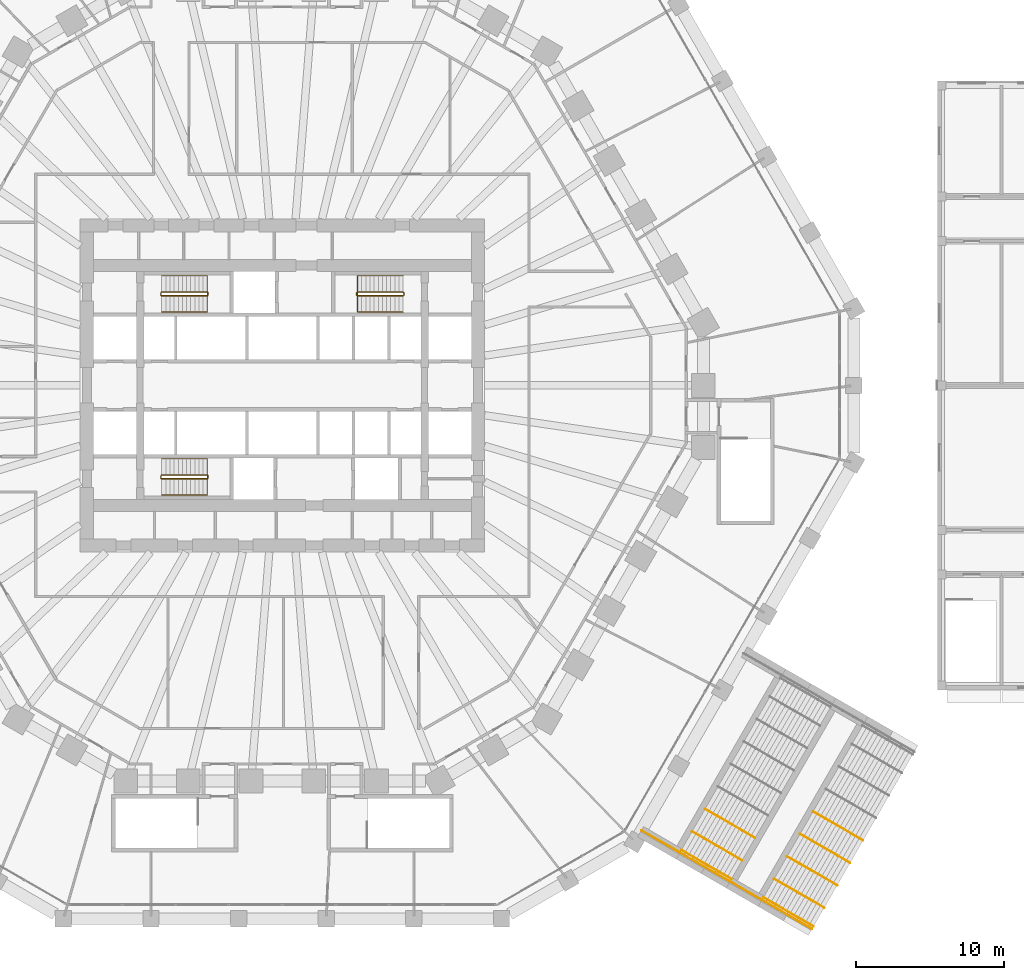
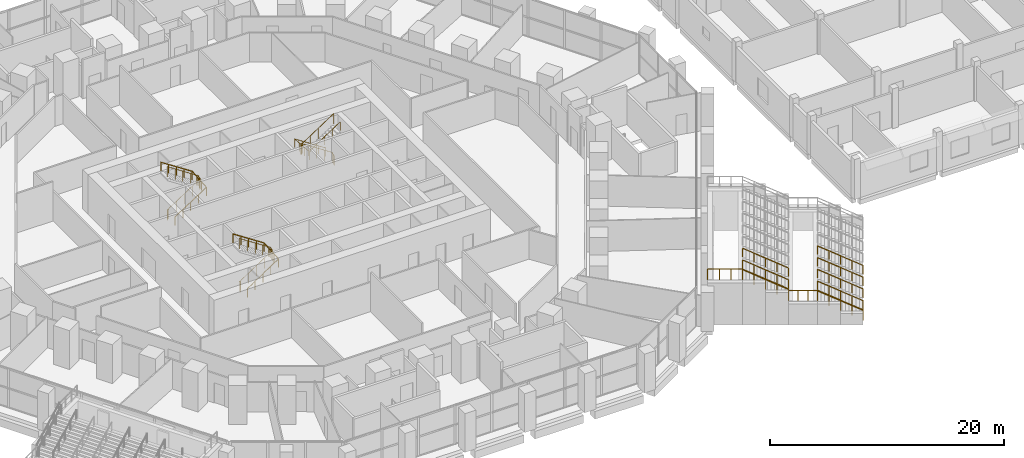
# One storey, part 33 of 38: 18 railings.
"""IFC4 building model written with IfcOpenShell, lengths in metres."""

from ifc_helpers import new_model, si_unit, direction, frame, origin, origin_2d, place, context, subcontext, project, spatial, circle, extrude, material, type_object, element, save


model = new_model("IFC4")

# Units and contexts
model_context = context("Model", 3, precision=1e-05, world=origin(), true_north=direction((0.0, 1.0)))
body_context = subcontext(model_context, "Body", "Model", "MODEL_VIEW")
ifc_project = project(units=[si_unit("LENGTHUNIT", "METRE"), si_unit("AREAUNIT", "SQUARE_METRE"), si_unit("VOLUMEUNIT", "CUBIC_METRE"), si_unit("PLANEANGLEUNIT", "RADIAN"), si_unit("MASSUNIT", "GRAM", prefix="KILO")], contexts=[model_context])

# Site, building, storey
site_placement = place(None, origin())
site = spatial("IfcSite", under=ifc_project, at=site_placement, CompositionType="ELEMENT")
building_placement = place(site_placement, origin())
building = spatial("IfcBuilding", under=site, at=building_placement, Name="Frailejon Research Tower", CompositionType="ELEMENT")
storey_placement = place(building_placement, frame((0.0, 0.0, 10.199951171875)))
storey = spatial("IfcBuildingStorey", under=building, at=storey_placement, Name="L02", CompositionType="ELEMENT", Elevation=10.199951171875)

# Railings
ifc_material_1 = material(Name="Galvanised steel balustrade", Category="steel")
railing_type_1 = type_object("IfcRailingType", Name="Broad stair guard 1100", PredefinedType="GUARDRAIL", material=ifc_material_1)
railing_1_placement = place(storey_placement, frame((24.226806640625, -30.037841796875, 4.400146484375)))
element("IfcRailing", 1, at=railing_1_placement, inside=storey, type_object=railing_type_1, Name="Broad stair E3 landing guard", PredefinedType="GUARDRAIL", context=body_context, shape_type="SweptSolid", body=[
    extrude(circle(Radius=0.02392578125, at=origin_2d()), frame((0.0, 0.0, 1.076171875), z_axis=(0.866031096941, -0.499990139034, 0.0), x_axis=(0.499990139034, 0.866031096941, 0.0)), (0.0, 0.0, 1.0), 3.0),
    extrude(circle(Radius=0.02099609375, at=origin_2d()), origin(), (0.0, 0.0, 1.0), 1.052001953125),
    extrude(circle(Radius=0.02099609375, at=origin_2d()), frame((0.865966796875, -0.5, 0.0)), (0.0, 0.0, 1.0), 1.052001953125),
    extrude(circle(Radius=0.02099609375, at=origin_2d()), frame((1.732177734375, -1.0, 0.0)), (0.0, 0.0, 1.0), 1.052001953125),
    extrude(circle(Radius=0.02099609375, at=origin_2d()), frame((2.59814453125, -1.5, 0.0)), (0.0, 0.0, 1.0), 1.052001953125),
])
railing_2_placement = place(storey_placement, frame((30.202392578125, -33.48779296875, 2.199951171875)))
element("IfcRailing", 2, at=railing_2_placement, inside=storey, type_object=railing_type_1, Name="Broad stair E3 landing guard", PredefinedType="GUARDRAIL", context=body_context, shape_type="SweptSolid", body=[
    extrude(circle(Radius=0.02392578125, at=origin_2d()), frame((0.0, 0.0, 1.076171875), z_axis=(0.866047370643, -0.499961950354, 0.0), x_axis=(0.499961950354, 0.866047370643, 0.0)), (0.0, 0.0, 1.0), 2.500244140625),
    extrude(circle(Radius=0.02099609375, at=origin_2d()), origin(), (0.0, 0.0, 1.0), 1.052001953125),
    extrude(circle(Radius=0.02099609375, at=origin_2d()), frame((0.7216796875, -0.416748046875, 0.0)), (0.0, 0.0, 1.0), 1.052001953125),
    extrude(circle(Radius=0.02099609375, at=origin_2d()), frame((1.443603515625, -0.833251953125, 0.0)), (0.0, 0.0, 1.0), 1.052001953125),
    extrude(circle(Radius=0.02099609375, at=origin_2d()), frame((2.165283203125, -1.25, 0.0)), (0.0, 0.0, 1.0), 1.052001953125),
])
railing_3_placement = place(storey_placement, frame((30.202392578125, -33.48779296875, 2.357177734375)))
element("IfcRailing", 3, at=railing_3_placement, inside=storey, type_object=railing_type_1, Name="Broad stair E3 flight guard", PredefinedType="GUARDRAIL", context=body_context, shape_type="SweptSolid", body=[
    extrude(circle(Radius=0.02392578125, at=origin_2d()), frame((0.0, 0.0, 1.076171875), z_axis=(-0.767141967579, 0.442906093325, 0.464033828589), x_axis=(-0.499997012787, -0.866027128446, 0.0)), (0.0, 0.0, 1.0), 4.402587890625),
    extrude(circle(Radius=0.02099609375, at=origin_2d()), origin(), (0.0, 0.0, 1.0), 1.052001953125),
    extrude(circle(Radius=0.02099609375, at=origin_2d()), frame((-0.84423828125, 0.487548828125, 0.5107421875)), (0.0, 0.0, 1.0), 1.052001953125),
    extrude(circle(Radius=0.02099609375, at=origin_2d()), frame((-1.688720703125, 0.97509765625, 1.021484375)), (0.0, 0.0, 1.0), 1.052001953125),
    extrude(circle(Radius=0.02099609375, at=origin_2d()), frame((-2.533203125, 1.46240234375, 1.5322265625)), (0.0, 0.0, 1.0), 1.052001953125),
    extrude(circle(Radius=0.02099609375, at=origin_2d()), frame((-3.37744140625, 1.949951171875, 2.04296875)), (0.0, 0.0, 1.0), 1.052001953125),
])
railing_4_placement = place(storey_placement, frame((35.7451171875, -36.687744140625, 0.1572265625)))
element("IfcRailing", 4, at=railing_4_placement, inside=storey, type_object=railing_type_1, Name="Broad stair E3 flight guard", PredefinedType="GUARDRAIL", context=body_context, shape_type="SweptSolid", body=[
    extrude(circle(Radius=0.02392578125, at=origin_2d()), frame((0.0, 0.0, 1.076171875), z_axis=(-0.767161707443, 0.44291749005, 0.463990314166), x_axis=(-0.499997012787, -0.866027128446, 0.0)), (0.0, 0.0, 1.0), 4.402587890625),
    extrude(circle(Radius=0.02099609375, at=origin_2d()), origin(), (0.0, 0.0, 1.0), 1.052001953125),
    extrude(circle(Radius=0.02099609375, at=origin_2d()), frame((-0.84423828125, 0.487548828125, 0.5107421875)), (0.0, 0.0, 1.0), 1.052001953125),
    extrude(circle(Radius=0.02099609375, at=origin_2d()), frame((-1.688720703125, 0.97509765625, 1.021484375)), (0.0, 0.0, 1.0), 1.052001953125),
    extrude(circle(Radius=0.02099609375, at=origin_2d()), frame((-2.533203125, 1.46240234375, 1.531982421875)), (0.0, 0.0, 1.0), 1.052001953125),
    extrude(circle(Radius=0.02099609375, at=origin_2d()), frame((-3.37744140625, 1.949951171875, 2.042724609375)), (0.0, 0.0, 1.0), 1.052001953125),
])
ifc_material_2 = material(Name="Stainless steel handrail", Category="steel")
railing_type_2 = type_object("IfcRailingType", Name="Broad stair handrail", PredefinedType="HANDRAIL", material=ifc_material_2)
railing_5_placement = place(storey_placement, frame((30.302490234375, -33.314453125, 2.357177734375)))
element("IfcRailing", 5, at=railing_5_placement, inside=storey, type_object=railing_type_2, Name="Broad stair E3 flight handrail", PredefinedType="HANDRAIL", context=body_context, shape_type="SweptSolid", body=[
    extrude(circle(Radius=0.02392578125, at=origin_2d()), frame((0.0, 0.0, 0.8759765625), z_axis=(-0.767141967579, 0.442906093325, 0.464033828589), x_axis=(-0.499997012787, -0.866027128446, 0.0)), (0.0, 0.0, 1.0), 4.402587890625),
    extrude(circle(Radius=0.02099609375, at=origin_2d()), origin(), (0.0, 0.0, 1.0), 0.851806640625),
    extrude(circle(Radius=0.02099609375, at=origin_2d()), frame((-0.84423828125, 0.487548828125, 0.5107421875)), (0.0, 0.0, 1.0), 0.851806640625),
    extrude(circle(Radius=0.02099609375, at=origin_2d()), frame((-1.688720703125, 0.97509765625, 1.021484375)), (0.0, 0.0, 1.0), 0.851806640625),
    extrude(circle(Radius=0.02099609375, at=origin_2d()), frame((-2.533203125, 1.46240234375, 1.5322265625)), (0.0, 0.0, 1.0), 0.851806640625),
    extrude(circle(Radius=0.02099609375, at=origin_2d()), frame((-3.37744140625, 1.949951171875, 2.04296875)), (0.0, 0.0, 1.0), 0.851806640625),
])
railing_6_placement = place(storey_placement, frame((35.84521484375, -36.514404296875, 0.1572265625)))
element("IfcRailing", 6, at=railing_6_placement, inside=storey, type_object=railing_type_2, Name="Broad stair E3 flight handrail", PredefinedType="HANDRAIL", context=body_context, shape_type="SweptSolid", body=[
    extrude(circle(Radius=0.02392578125, at=origin_2d()), frame((0.0, 0.0, 0.8759765625), z_axis=(-0.767184523581, 0.442898647621, 0.463970575266), x_axis=(-0.499969906938, -0.866042777325, 0.0)), (0.0, 0.0, 1.0), 4.402587890625),
    extrude(circle(Radius=0.02099609375, at=origin_2d()), origin(), (0.0, 0.0, 1.0), 0.851806640625),
    extrude(circle(Radius=0.02099609375, at=origin_2d()), frame((-0.844482421875, 0.487548828125, 0.5107421875)), (0.0, 0.0, 1.0), 0.851806640625),
    extrude(circle(Radius=0.02099609375, at=origin_2d()), frame((-1.68896484375, 0.97509765625, 1.021484375)), (0.0, 0.0, 1.0), 0.851806640625),
    extrude(circle(Radius=0.02099609375, at=origin_2d()), frame((-2.533203125, 1.46240234375, 1.531982421875)), (0.0, 0.0, 1.0), 0.851806640625),
    extrude(circle(Radius=0.02099609375, at=origin_2d()), frame((-3.377685546875, 1.949951171875, 2.042724609375)), (0.0, 0.0, 1.0), 0.851806640625),
])
railing_7_placement = place(storey_placement, frame((31.027587890625, -32.058837890625, 2.357177734375)))
element("IfcRailing", 7, at=railing_7_placement, inside=storey, type_object=railing_type_2, Name="Broad stair E3 flight handrail", PredefinedType="HANDRAIL", context=body_context, shape_type="SweptSolid", body=[
    extrude(circle(Radius=0.02392578125, at=origin_2d()), frame((0.0, 0.0, 0.8759765625), z_axis=(-0.767164784809, 0.442887252351, 0.464014088853), x_axis=(-0.499969906938, -0.866042777325, 0.0)), (0.0, 0.0, 1.0), 4.40283203125),
    extrude(circle(Radius=0.02099609375, at=origin_2d()), origin(), (0.0, 0.0, 1.0), 0.851806640625),
    extrude(circle(Radius=0.02099609375, at=origin_2d()), frame((-0.844482421875, 0.487548828125, 0.5107421875)), (0.0, 0.0, 1.0), 0.851806640625),
    extrude(circle(Radius=0.02099609375, at=origin_2d()), frame((-1.68896484375, 0.97509765625, 1.021484375)), (0.0, 0.0, 1.0), 0.851806640625),
    extrude(circle(Radius=0.02099609375, at=origin_2d()), frame((-2.533203125, 1.46240234375, 1.5322265625)), (0.0, 0.0, 1.0), 0.851806640625),
    extrude(circle(Radius=0.02099609375, at=origin_2d()), frame((-3.377685546875, 1.949951171875, 2.04296875)), (0.0, 0.0, 1.0), 0.851806640625),
])
railing_8_placement = place(storey_placement, frame((36.570068359375, -35.2587890625, 0.1572265625)))
element("IfcRailing", 8, at=railing_8_placement, inside=storey, type_object=railing_type_2, Name="Broad stair E3 flight handrail", PredefinedType="HANDRAIL", context=body_context, shape_type="SweptSolid", body=[
    extrude(circle(Radius=0.02392578125, at=origin_2d()), frame((0.0, 0.0, 0.8759765625), z_axis=(-0.767161707443, 0.44291749005, 0.463990314166), x_axis=(-0.499997012787, -0.866027128446, 0.0)), (0.0, 0.0, 1.0), 4.402587890625),
    extrude(circle(Radius=0.02099609375, at=origin_2d()), origin(), (0.0, 0.0, 1.0), 0.851806640625),
    extrude(circle(Radius=0.02099609375, at=origin_2d()), frame((-0.84423828125, 0.487548828125, 0.5107421875)), (0.0, 0.0, 1.0), 0.851806640625),
    extrude(circle(Radius=0.02099609375, at=origin_2d()), frame((-1.688720703125, 0.97509765625, 1.021484375)), (0.0, 0.0, 1.0), 0.851806640625),
    extrude(circle(Radius=0.02099609375, at=origin_2d()), frame((-2.533203125, 1.46240234375, 1.531982421875)), (0.0, 0.0, 1.0), 0.851806640625),
    extrude(circle(Radius=0.02099609375, at=origin_2d()), frame((-3.37744140625, 1.949951171875, 2.042724609375)), (0.0, 0.0, 1.0), 0.851806640625),
])
railing_9_placement = place(storey_placement, frame((31.902587890625, -30.543212890625, 2.357177734375)))
element("IfcRailing", 9, at=railing_9_placement, inside=storey, type_object=railing_type_2, Name="Broad stair E3 flight handrail", PredefinedType="HANDRAIL", context=body_context, shape_type="SweptSolid", body=[
    extrude(circle(Radius=0.02392578125, at=origin_2d()), frame((0.0, 0.0, 0.8759765625), z_axis=(-0.767164784809, 0.442887252351, 0.464014088853), x_axis=(-0.499969906938, -0.866042777325, 0.0)), (0.0, 0.0, 1.0), 4.40283203125),
    extrude(circle(Radius=0.02099609375, at=origin_2d()), origin(), (0.0, 0.0, 1.0), 0.851806640625),
    extrude(circle(Radius=0.02099609375, at=origin_2d()), frame((-0.844482421875, 0.487548828125, 0.5107421875)), (0.0, 0.0, 1.0), 0.851806640625),
    extrude(circle(Radius=0.02099609375, at=origin_2d()), frame((-1.68896484375, 0.97509765625, 1.021484375)), (0.0, 0.0, 1.0), 0.851806640625),
    extrude(circle(Radius=0.02099609375, at=origin_2d()), frame((-2.533203125, 1.46240234375, 1.5322265625)), (0.0, 0.0, 1.0), 0.851806640625),
    extrude(circle(Radius=0.02099609375, at=origin_2d()), frame((-3.377685546875, 1.949951171875, 2.04296875)), (0.0, 0.0, 1.0), 0.851806640625),
])
for number, where, name in (
    (10, (37.445068359375, -33.743408203125, 0.1572265625), "Broad stair E3 flight handrail"),
    (11, (38.320068359375, -32.227783203125, 0.1572265625), "Broad stair E3 flight handrail"),
):
    element("IfcRailing", number, at=place(storey_placement, frame(where)), inside=storey, type_object=railing_type_2, Name=name, PredefinedType="HANDRAIL", context=body_context, shape_type="SweptSolid", body=[
        extrude(circle(Radius=0.02392578125, at=origin_2d()), frame((0.0, 0.0, 0.8759765625), z_axis=(-0.767142864008, 0.442962064312, 0.463978917389), x_axis=(-0.500043961785, -0.866000020948, 0.0)), (0.0, 0.0, 1.0), 4.402587890625),
        extrude(circle(Radius=0.02099609375, at=origin_2d()), origin(), (0.0, 0.0, 1.0), 0.851806640625),
        extrude(circle(Radius=0.02099609375, at=origin_2d()), frame((-0.84423828125, 0.487548828125, 0.5107421875)), (0.0, 0.0, 1.0), 0.851806640625),
        extrude(circle(Radius=0.02099609375, at=origin_2d()), frame((-1.688720703125, 0.97509765625, 1.021484375)), (0.0, 0.0, 1.0), 0.851806640625),
        extrude(circle(Radius=0.02099609375, at=origin_2d()), frame((-2.533203125, 1.462646484375, 1.531982421875)), (0.0, 0.0, 1.0), 0.851806640625),
        extrude(circle(Radius=0.02099609375, at=origin_2d()), frame((-3.37744140625, 1.9501953125, 2.042724609375)), (0.0, 0.0, 1.0), 0.851806640625),
    ])
railing_10_placement = place(storey_placement, frame((39.195068359375, -30.712158203125, 0.1572265625)))
element("IfcRailing", 12, at=railing_10_placement, inside=storey, type_object=railing_type_2, Name="Broad stair E3 flight handrail", PredefinedType="HANDRAIL", context=body_context, shape_type="SweptSolid", body=[
    extrude(circle(Radius=0.02392578125, at=origin_2d()), frame((0.0, 0.0, 0.8759765625), z_axis=(-0.767161707443, 0.44291749005, 0.463990314166), x_axis=(-0.499997012787, -0.866027128446, 0.0)), (0.0, 0.0, 1.0), 4.402587890625),
    extrude(circle(Radius=0.02099609375, at=origin_2d()), origin(), (0.0, 0.0, 1.0), 0.851806640625),
    extrude(circle(Radius=0.02099609375, at=origin_2d()), frame((-0.84423828125, 0.487548828125, 0.5107421875)), (0.0, 0.0, 1.0), 0.851806640625),
    extrude(circle(Radius=0.02099609375, at=origin_2d()), frame((-1.688720703125, 0.97509765625, 1.021484375)), (0.0, 0.0, 1.0), 0.851806640625),
    extrude(circle(Radius=0.02099609375, at=origin_2d()), frame((-2.533203125, 1.46240234375, 1.531982421875)), (0.0, 0.0, 1.0), 0.851806640625),
    extrude(circle(Radius=0.02099609375, at=origin_2d()), frame((-3.37744140625, 1.949951171875, 2.042724609375)), (0.0, 0.0, 1.0), 0.851806640625),
])
ifc_material_3 = material(Name="Stainless steel", Category="steel")
railing_type_3 = type_object("IfcRailingType", Name="Stair guard 1100", PredefinedType="GUARDRAIL", material=ifc_material_3)
railing_11_placement = place(storey_placement, frame((-8.199951171875, 6.25, 0.0)))
element("IfcRailing", 13, at=railing_11_placement, inside=storey, type_object=railing_type_3, Name="L02 ST1 stair guard 1", PredefinedType="GUARDRAIL", context=body_context, shape_type="SweptSolid", body=[
    extrude(circle(Radius=0.02392578125, at=origin_2d()), frame((0.0, 0.0, 1.076171875), z_axis=(0.0, -1.0, 0.0), x_axis=(1.0, 0.0, 0.0)), (0.0, 0.0, 1.0), 0.14990234375),
    extrude(circle(Radius=0.02392578125, at=origin_2d()), frame((0.0, -0.14990234375, 1.076171875), z_axis=(0.254653276557, -0.254653276557, 0.932900539971), x_axis=(0.707106781187, 0.707106781187, 0.0)), (0.0, 0.0, 1.0), 0.196533203125),
    extrude(circle(Radius=0.02392578125, at=origin_2d()), frame((0.050048828125, -0.199951171875, 1.25927734375), z_axis=(0.836613101238, 0.0, 0.547794230379), x_axis=(0.0, 1.0, 0.0)), (0.0, 0.0, 1.0), 3.681396484375),
    extrude(circle(Radius=0.02392578125, at=origin_2d()), frame((3.1298828125, -0.199951171875, 3.27587890625), z_axis=(0.707106781187, 0.707106781187, 0.0), x_axis=(-0.707106781187, 0.707106781187, 0.0)), (0.0, 0.0, 1.0), 0.07080078125),
    extrude(circle(Radius=0.02392578125, at=origin_2d()), frame((3.179931640625, -0.14990234375, 3.27587890625), z_axis=(0.0, 1.0, 0.0), x_axis=(-1.0, 0.0, 0.0)), (0.0, 0.0, 1.0), 0.14990234375),
    extrude(circle(Radius=0.02392578125, at=origin_2d()), frame((3.179931640625, 0.0, 3.27587890625), z_axis=(-0.254653276557, 0.254653276557, 0.932900539971), x_axis=(-0.707106781187, -0.707106781187, 0.0)), (0.0, 0.0, 1.0), 0.196533203125),
    extrude(circle(Radius=0.02392578125, at=origin_2d()), frame((3.1298828125, 0.050048828125, 3.45947265625), z_axis=(-0.836582707638, 0.0, 0.547840645882), x_axis=(0.0, -1.0, 0.0)), (0.0, 0.0, 1.0), 3.681396484375),
    extrude(circle(Radius=0.02099609375, at=origin_2d()), origin(), (0.0, 0.0, 1.0), 1.052001953125),
    extrude(circle(Radius=0.02099609375, at=origin_2d()), frame((0.0, -0.14990234375, 0.0)), (0.0, 0.0, 1.0), 1.052001953125),
    extrude(circle(Radius=0.02099609375, at=origin_2d()), frame((0.050048828125, -0.199951171875, 0.183349609375)), (0.0, 0.0, 1.0), 1.052001953125),
    extrude(circle(Radius=0.02099609375, at=origin_2d()), frame((0.820068359375, -0.199951171875, 0.6875)), (0.0, 0.0, 1.0), 1.052001953125),
    extrude(circle(Radius=0.02099609375, at=origin_2d()), frame((1.58984375, -0.199951171875, 1.191650390625)), (0.0, 0.0, 1.0), 1.052001953125),
    extrude(circle(Radius=0.02099609375, at=origin_2d()), frame((2.35986328125, -0.199951171875, 1.69580078125)), (0.0, 0.0, 1.0), 1.052001953125),
    extrude(circle(Radius=0.02099609375, at=origin_2d()), frame((3.1298828125, -0.199951171875, 2.199951171875)), (0.0, 0.0, 1.0), 1.052001953125),
    extrude(circle(Radius=0.02099609375, at=origin_2d()), frame((3.179931640625, -0.14990234375, 2.199951171875)), (0.0, 0.0, 1.0), 1.052001953125),
    extrude(circle(Radius=0.02099609375, at=origin_2d()), frame((3.179931640625, 0.0, 2.199951171875)), (0.0, 0.0, 1.0), 1.052001953125),
    extrude(circle(Radius=0.02099609375, at=origin_2d()), frame((3.1298828125, 0.050048828125, 2.38330078125)), (0.0, 0.0, 1.0), 1.052001953125),
    extrude(circle(Radius=0.02099609375, at=origin_2d()), frame((2.35986328125, 0.050048828125, 2.887451171875)), (0.0, 0.0, 1.0), 1.052001953125),
    extrude(circle(Radius=0.02099609375, at=origin_2d()), frame((1.58984375, 0.050048828125, 3.3916015625)), (0.0, 0.0, 1.0), 1.052001953125),
    extrude(circle(Radius=0.02099609375, at=origin_2d()), frame((0.820068359375, 0.050048828125, 3.89599609375)), (0.0, 0.0, 1.0), 1.052001953125),
    extrude(circle(Radius=0.02099609375, at=origin_2d()), frame((0.050048828125, 0.050048828125, 4.400146484375)), (0.0, 0.0, 1.0), 1.052001953125),
])
railing_12_placement = place(storey_placement, frame((-8.199951171875, -6.10009765625, 0.0)))
element("IfcRailing", 14, at=railing_12_placement, inside=storey, type_object=railing_type_3, Name="L02 ST2 stair guard 1", PredefinedType="GUARDRAIL", context=body_context, shape_type="SweptSolid", body=[
    extrude(circle(Radius=0.02392578125, at=origin_2d()), frame((0.0, 0.0, 1.076171875), z_axis=(0.0, -1.0, 0.0), x_axis=(1.0, 0.0, 0.0)), (0.0, 0.0, 1.0), 0.14990234375),
    extrude(circle(Radius=0.02392578125, at=origin_2d()), frame((0.0, -0.14990234375, 1.076171875), z_axis=(0.254653276557, -0.254653276557, 0.932900539971), x_axis=(0.707106781187, 0.707106781187, 0.0)), (0.0, 0.0, 1.0), 0.196533203125),
    extrude(circle(Radius=0.02392578125, at=origin_2d()), frame((0.050048828125, -0.199951171875, 1.25927734375), z_axis=(0.836613101238, 0.0, 0.547794230379), x_axis=(0.0, 1.0, 0.0)), (0.0, 0.0, 1.0), 3.681396484375),
    extrude(circle(Radius=0.02392578125, at=origin_2d()), frame((3.1298828125, -0.199951171875, 3.27587890625), z_axis=(0.707106781187, 0.707106781187, 0.0), x_axis=(-0.707106781187, 0.707106781187, 0.0)), (0.0, 0.0, 1.0), 0.07080078125),
    extrude(circle(Radius=0.02392578125, at=origin_2d()), frame((3.179931640625, -0.14990234375, 3.27587890625), z_axis=(0.0, 1.0, 0.0), x_axis=(-1.0, 0.0, 0.0)), (0.0, 0.0, 1.0), 0.14990234375),
    extrude(circle(Radius=0.02392578125, at=origin_2d()), frame((3.179931640625, 0.0, 3.27587890625), z_axis=(-0.254653276557, 0.254653276557, 0.932900539971), x_axis=(-0.707106781187, -0.707106781187, 0.0)), (0.0, 0.0, 1.0), 0.196533203125),
    extrude(circle(Radius=0.02392578125, at=origin_2d()), frame((3.1298828125, 0.050048828125, 3.45947265625), z_axis=(-0.836582707638, 0.0, 0.547840645882), x_axis=(0.0, -1.0, 0.0)), (0.0, 0.0, 1.0), 3.681396484375),
    extrude(circle(Radius=0.02099609375, at=origin_2d()), origin(), (0.0, 0.0, 1.0), 1.052001953125),
    extrude(circle(Radius=0.02099609375, at=origin_2d()), frame((0.0, -0.14990234375, 0.0)), (0.0, 0.0, 1.0), 1.052001953125),
    extrude(circle(Radius=0.02099609375, at=origin_2d()), frame((0.050048828125, -0.199951171875, 0.183349609375)), (0.0, 0.0, 1.0), 1.052001953125),
    extrude(circle(Radius=0.02099609375, at=origin_2d()), frame((0.820068359375, -0.199951171875, 0.6875)), (0.0, 0.0, 1.0), 1.052001953125),
    extrude(circle(Radius=0.02099609375, at=origin_2d()), frame((1.58984375, -0.199951171875, 1.191650390625)), (0.0, 0.0, 1.0), 1.052001953125),
    extrude(circle(Radius=0.02099609375, at=origin_2d()), frame((2.35986328125, -0.199951171875, 1.69580078125)), (0.0, 0.0, 1.0), 1.052001953125),
    extrude(circle(Radius=0.02099609375, at=origin_2d()), frame((3.1298828125, -0.199951171875, 2.199951171875)), (0.0, 0.0, 1.0), 1.052001953125),
    extrude(circle(Radius=0.02099609375, at=origin_2d()), frame((3.179931640625, -0.14990234375, 2.199951171875)), (0.0, 0.0, 1.0), 1.052001953125),
    extrude(circle(Radius=0.02099609375, at=origin_2d()), frame((3.179931640625, 0.0, 2.199951171875)), (0.0, 0.0, 1.0), 1.052001953125),
    extrude(circle(Radius=0.02099609375, at=origin_2d()), frame((3.1298828125, 0.050048828125, 2.38330078125)), (0.0, 0.0, 1.0), 1.052001953125),
    extrude(circle(Radius=0.02099609375, at=origin_2d()), frame((2.35986328125, 0.050048828125, 2.887451171875)), (0.0, 0.0, 1.0), 1.052001953125),
    extrude(circle(Radius=0.02099609375, at=origin_2d()), frame((1.58984375, 0.050048828125, 3.3916015625)), (0.0, 0.0, 1.0), 1.052001953125),
    extrude(circle(Radius=0.02099609375, at=origin_2d()), frame((0.820068359375, 0.050048828125, 3.89599609375)), (0.0, 0.0, 1.0), 1.052001953125),
    extrude(circle(Radius=0.02099609375, at=origin_2d()), frame((0.050048828125, 0.050048828125, 4.400146484375)), (0.0, 0.0, 1.0), 1.052001953125),
])
railing_13_placement = place(storey_placement, frame((8.199951171875, 6.10009765625, 0.0)))
element("IfcRailing", 15, at=railing_13_placement, inside=storey, type_object=railing_type_3, Name="L02 ST3 stair guard 1", PredefinedType="GUARDRAIL", context=body_context, shape_type="SweptSolid", body=[
    extrude(circle(Radius=0.02392578125, at=origin_2d()), frame((0.0, 0.0, 1.076171875), z_axis=(0.0, 1.0, 0.0), x_axis=(-1.0, 0.0, 0.0)), (0.0, 0.0, 1.0), 0.14990234375),
    extrude(circle(Radius=0.02392578125, at=origin_2d()), frame((0.0, 0.14990234375, 1.076171875), z_axis=(-0.254653276557, 0.254653276557, 0.932900539971), x_axis=(-0.707106781187, -0.707106781187, 0.0)), (0.0, 0.0, 1.0), 0.196533203125),
    extrude(circle(Radius=0.02392578125, at=origin_2d()), frame((-0.050048828125, 0.199951171875, 1.25927734375), z_axis=(-0.836613101238, 0.0, 0.547794230379), x_axis=(0.0, -1.0, 0.0)), (0.0, 0.0, 1.0), 3.681396484375),
    extrude(circle(Radius=0.02392578125, at=origin_2d()), frame((-3.1298828125, 0.199951171875, 3.27587890625), z_axis=(-0.707106781187, -0.707106781187, 0.0), x_axis=(0.707106781187, -0.707106781187, 0.0)), (0.0, 0.0, 1.0), 0.07080078125),
    extrude(circle(Radius=0.02392578125, at=origin_2d()), frame((-3.179931640625, 0.14990234375, 3.27587890625), z_axis=(0.0, -1.0, 0.0), x_axis=(1.0, 0.0, 0.0)), (0.0, 0.0, 1.0), 0.14990234375),
    extrude(circle(Radius=0.02392578125, at=origin_2d()), frame((-3.179931640625, 0.0, 3.27587890625), z_axis=(0.254653276557, -0.254653276557, 0.932900539971), x_axis=(0.707106781187, 0.707106781187, 0.0)), (0.0, 0.0, 1.0), 0.196533203125),
    extrude(circle(Radius=0.02392578125, at=origin_2d()), frame((-3.1298828125, -0.050048828125, 3.45947265625), z_axis=(0.836582707638, 0.0, 0.547840645882), x_axis=(0.0, 1.0, 0.0)), (0.0, 0.0, 1.0), 3.681396484375),
    extrude(circle(Radius=0.02099609375, at=origin_2d()), origin(), (0.0, 0.0, 1.0), 1.052001953125),
    extrude(circle(Radius=0.02099609375, at=origin_2d()), frame((0.0, 0.14990234375, 0.0)), (0.0, 0.0, 1.0), 1.052001953125),
    extrude(circle(Radius=0.02099609375, at=origin_2d()), frame((-0.050048828125, 0.199951171875, 0.183349609375)), (0.0, 0.0, 1.0), 1.052001953125),
    extrude(circle(Radius=0.02099609375, at=origin_2d()), frame((-0.820068359375, 0.199951171875, 0.6875)), (0.0, 0.0, 1.0), 1.052001953125),
    extrude(circle(Radius=0.02099609375, at=origin_2d()), frame((-1.58984375, 0.199951171875, 1.191650390625)), (0.0, 0.0, 1.0), 1.052001953125),
    extrude(circle(Radius=0.02099609375, at=origin_2d()), frame((-2.35986328125, 0.199951171875, 1.69580078125)), (0.0, 0.0, 1.0), 1.052001953125),
    extrude(circle(Radius=0.02099609375, at=origin_2d()), frame((-3.1298828125, 0.199951171875, 2.199951171875)), (0.0, 0.0, 1.0), 1.052001953125),
    extrude(circle(Radius=0.02099609375, at=origin_2d()), frame((-3.179931640625, 0.14990234375, 2.199951171875)), (0.0, 0.0, 1.0), 1.052001953125),
    extrude(circle(Radius=0.02099609375, at=origin_2d()), frame((-3.179931640625, 0.0, 2.199951171875)), (0.0, 0.0, 1.0), 1.052001953125),
    extrude(circle(Radius=0.02099609375, at=origin_2d()), frame((-3.1298828125, -0.050048828125, 2.38330078125)), (0.0, 0.0, 1.0), 1.052001953125),
    extrude(circle(Radius=0.02099609375, at=origin_2d()), frame((-2.35986328125, -0.050048828125, 2.887451171875)), (0.0, 0.0, 1.0), 1.052001953125),
    extrude(circle(Radius=0.02099609375, at=origin_2d()), frame((-1.58984375, -0.050048828125, 3.3916015625)), (0.0, 0.0, 1.0), 1.052001953125),
    extrude(circle(Radius=0.02099609375, at=origin_2d()), frame((-0.820068359375, -0.050048828125, 3.89599609375)), (0.0, 0.0, 1.0), 1.052001953125),
    extrude(circle(Radius=0.02099609375, at=origin_2d()), frame((-0.050048828125, -0.050048828125, 4.400146484375)), (0.0, 0.0, 1.0), 1.052001953125),
])
ifc_material_4 = material(Name="Stainless steel", Category="steel")
railing_type_4 = type_object("IfcRailingType", Name="Stair handrail 900", PredefinedType="HANDRAIL", material=ifc_material_4)
railing_14_placement = place(storey_placement, frame((-8.14990234375, 4.949951171875, 0.183349609375)))
element("IfcRailing", 16, at=railing_14_placement, inside=storey, type_object=railing_type_4, Name="L02 ST1 stair handrail 1", PredefinedType="HANDRAIL", context=body_context, shape_type="SweptSolid", body=[
    extrude(circle(Radius=0.02392578125, at=origin_2d()), frame((0.0, 0.0, 0.8759765625), z_axis=(0.836613101238, 0.0, 0.547794230379), x_axis=(0.0, 1.0, 0.0)), (0.0, 0.0, 1.0), 3.681396484375),
    extrude(circle(Radius=0.02392578125, at=origin_2d()), frame((3.079833984375, 0.0, 2.892578125), z_axis=(0.0, 0.99721134034, 0.074629368868), x_axis=(-1.0, 0.0, 0.0)), (0.0, 0.0, 1.0), 2.456787109375),
    extrude(circle(Radius=0.02392578125, at=origin_2d()), frame((3.079833984375, 2.449951171875, 3.07568359375), z_axis=(-0.836582707638, 0.0, 0.547840645882), x_axis=(0.0, -1.0, 0.0)), (0.0, 0.0, 1.0), 3.681396484375),
    extrude(circle(Radius=0.02099609375, at=origin_2d()), origin(), (0.0, 0.0, 1.0), 0.851806640625),
    extrude(circle(Radius=0.02099609375, at=origin_2d()), frame((0.77001953125, 0.0, 0.504150390625)), (0.0, 0.0, 1.0), 0.851806640625),
    extrude(circle(Radius=0.02099609375, at=origin_2d()), frame((1.5400390625, 0.0, 1.00830078125)), (0.0, 0.0, 1.0), 0.851806640625),
    extrude(circle(Radius=0.02099609375, at=origin_2d()), frame((2.309814453125, 0.0, 1.512451171875)), (0.0, 0.0, 1.0), 0.851806640625),
    extrude(circle(Radius=0.02099609375, at=origin_2d()), frame((3.079833984375, 0.0, 2.0166015625)), (0.0, 0.0, 1.0), 0.851806640625),
    extrude(circle(Radius=0.02099609375, at=origin_2d()), frame((3.079833984375, 0.816650390625, 2.07763671875)), (0.0, 0.0, 1.0), 0.851806640625),
    extrude(circle(Radius=0.02099609375, at=origin_2d()), frame((3.079833984375, 1.63330078125, 2.138916015625)), (0.0, 0.0, 1.0), 0.851806640625),
    extrude(circle(Radius=0.02099609375, at=origin_2d()), frame((3.079833984375, 2.449951171875, 2.199951171875)), (0.0, 0.0, 1.0), 0.851806640625),
    extrude(circle(Radius=0.02099609375, at=origin_2d()), frame((2.309814453125, 2.449951171875, 2.7041015625)), (0.0, 0.0, 1.0), 0.851806640625),
    extrude(circle(Radius=0.02099609375, at=origin_2d()), frame((1.5400390625, 2.449951171875, 3.20849609375)), (0.0, 0.0, 1.0), 0.851806640625),
    extrude(circle(Radius=0.02099609375, at=origin_2d()), frame((0.77001953125, 2.449951171875, 3.712646484375)), (0.0, 0.0, 1.0), 0.851806640625),
    extrude(circle(Radius=0.02099609375, at=origin_2d()), frame((0.0, 2.449951171875, 4.216796875)), (0.0, 0.0, 1.0), 0.851806640625),
])
railing_15_placement = place(storey_placement, frame((-8.14990234375, -7.39990234375, 0.183349609375)))
element("IfcRailing", 17, at=railing_15_placement, inside=storey, type_object=railing_type_4, Name="L02 ST2 stair handrail 1", PredefinedType="HANDRAIL", context=body_context, shape_type="SweptSolid", body=[
    extrude(circle(Radius=0.02392578125, at=origin_2d()), frame((0.0, 0.0, 0.8759765625), z_axis=(0.836613101238, 0.0, 0.547794230379), x_axis=(0.0, 1.0, 0.0)), (0.0, 0.0, 1.0), 3.681396484375),
    extrude(circle(Radius=0.02392578125, at=origin_2d()), frame((3.079833984375, 0.0, 2.892578125), z_axis=(0.0, 0.99721134034, 0.074629368868), x_axis=(-1.0, 0.0, 0.0)), (0.0, 0.0, 1.0), 2.456787109375),
    extrude(circle(Radius=0.02392578125, at=origin_2d()), frame((3.079833984375, 2.449951171875, 3.07568359375), z_axis=(-0.836582707638, 0.0, 0.547840645882), x_axis=(0.0, -1.0, 0.0)), (0.0, 0.0, 1.0), 3.681396484375),
    extrude(circle(Radius=0.02099609375, at=origin_2d()), origin(), (0.0, 0.0, 1.0), 0.851806640625),
    extrude(circle(Radius=0.02099609375, at=origin_2d()), frame((0.77001953125, 0.0, 0.504150390625)), (0.0, 0.0, 1.0), 0.851806640625),
    extrude(circle(Radius=0.02099609375, at=origin_2d()), frame((1.5400390625, 0.0, 1.00830078125)), (0.0, 0.0, 1.0), 0.851806640625),
    extrude(circle(Radius=0.02099609375, at=origin_2d()), frame((2.309814453125, 0.0, 1.512451171875)), (0.0, 0.0, 1.0), 0.851806640625),
    extrude(circle(Radius=0.02099609375, at=origin_2d()), frame((3.079833984375, 0.0, 2.0166015625)), (0.0, 0.0, 1.0), 0.851806640625),
    extrude(circle(Radius=0.02099609375, at=origin_2d()), frame((3.079833984375, 0.816650390625, 2.07763671875)), (0.0, 0.0, 1.0), 0.851806640625),
    extrude(circle(Radius=0.02099609375, at=origin_2d()), frame((3.079833984375, 1.63330078125, 2.138916015625)), (0.0, 0.0, 1.0), 0.851806640625),
    extrude(circle(Radius=0.02099609375, at=origin_2d()), frame((3.079833984375, 2.449951171875, 2.199951171875)), (0.0, 0.0, 1.0), 0.851806640625),
    extrude(circle(Radius=0.02099609375, at=origin_2d()), frame((2.309814453125, 2.449951171875, 2.7041015625)), (0.0, 0.0, 1.0), 0.851806640625),
    extrude(circle(Radius=0.02099609375, at=origin_2d()), frame((1.5400390625, 2.449951171875, 3.20849609375)), (0.0, 0.0, 1.0), 0.851806640625),
    extrude(circle(Radius=0.02099609375, at=origin_2d()), frame((0.77001953125, 2.449951171875, 3.712646484375)), (0.0, 0.0, 1.0), 0.851806640625),
    extrude(circle(Radius=0.02099609375, at=origin_2d()), frame((0.0, 2.449951171875, 4.216796875)), (0.0, 0.0, 1.0), 0.851806640625),
])
railing_16_placement = place(storey_placement, frame((8.14990234375, 7.39990234375, 0.183349609375)))
element("IfcRailing", 18, at=railing_16_placement, inside=storey, type_object=railing_type_4, Name="L02 ST3 stair handrail 1", PredefinedType="HANDRAIL", context=body_context, shape_type="SweptSolid", body=[
    extrude(circle(Radius=0.02392578125, at=origin_2d()), frame((0.0, 0.0, 0.8759765625), z_axis=(-0.836613101238, 0.0, 0.547794230379), x_axis=(0.0, -1.0, 0.0)), (0.0, 0.0, 1.0), 3.681396484375),
    extrude(circle(Radius=0.02392578125, at=origin_2d()), frame((-3.079833984375, 0.0, 2.892578125), z_axis=(0.0, -0.99721134034, 0.074629368868), x_axis=(1.0, 0.0, 0.0)), (0.0, 0.0, 1.0), 2.456787109375),
    extrude(circle(Radius=0.02392578125, at=origin_2d()), frame((-3.079833984375, -2.449951171875, 3.07568359375), z_axis=(0.836582707638, 0.0, 0.547840645882), x_axis=(0.0, 1.0, 0.0)), (0.0, 0.0, 1.0), 3.681396484375),
    extrude(circle(Radius=0.02099609375, at=origin_2d()), origin(), (0.0, 0.0, 1.0), 0.851806640625),
    extrude(circle(Radius=0.02099609375, at=origin_2d()), frame((-0.77001953125, 0.0, 0.504150390625)), (0.0, 0.0, 1.0), 0.851806640625),
    extrude(circle(Radius=0.02099609375, at=origin_2d()), frame((-1.5400390625, 0.0, 1.00830078125)), (0.0, 0.0, 1.0), 0.851806640625),
    extrude(circle(Radius=0.02099609375, at=origin_2d()), frame((-2.309814453125, 0.0, 1.512451171875)), (0.0, 0.0, 1.0), 0.851806640625),
    extrude(circle(Radius=0.02099609375, at=origin_2d()), frame((-3.079833984375, 0.0, 2.0166015625)), (0.0, 0.0, 1.0), 0.851806640625),
    extrude(circle(Radius=0.02099609375, at=origin_2d()), frame((-3.079833984375, -0.816650390625, 2.07763671875)), (0.0, 0.0, 1.0), 0.851806640625),
    extrude(circle(Radius=0.02099609375, at=origin_2d()), frame((-3.079833984375, -1.63330078125, 2.138916015625)), (0.0, 0.0, 1.0), 0.851806640625),
    extrude(circle(Radius=0.02099609375, at=origin_2d()), frame((-3.079833984375, -2.449951171875, 2.199951171875)), (0.0, 0.0, 1.0), 0.851806640625),
    extrude(circle(Radius=0.02099609375, at=origin_2d()), frame((-2.309814453125, -2.449951171875, 2.7041015625)), (0.0, 0.0, 1.0), 0.851806640625),
    extrude(circle(Radius=0.02099609375, at=origin_2d()), frame((-1.5400390625, -2.449951171875, 3.20849609375)), (0.0, 0.0, 1.0), 0.851806640625),
    extrude(circle(Radius=0.02099609375, at=origin_2d()), frame((-0.77001953125, -2.449951171875, 3.712646484375)), (0.0, 0.0, 1.0), 0.851806640625),
    extrude(circle(Radius=0.02099609375, at=origin_2d()), frame((0.0, -2.449951171875, 4.216796875)), (0.0, 0.0, 1.0), 0.851806640625),
])

save(model, "model.ifc")
